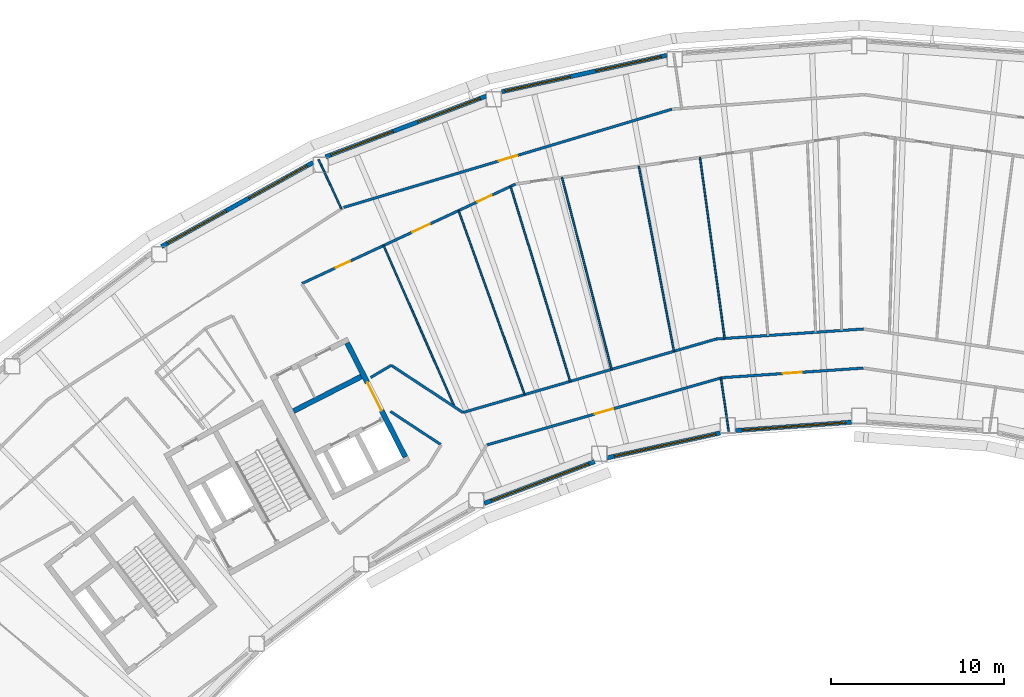
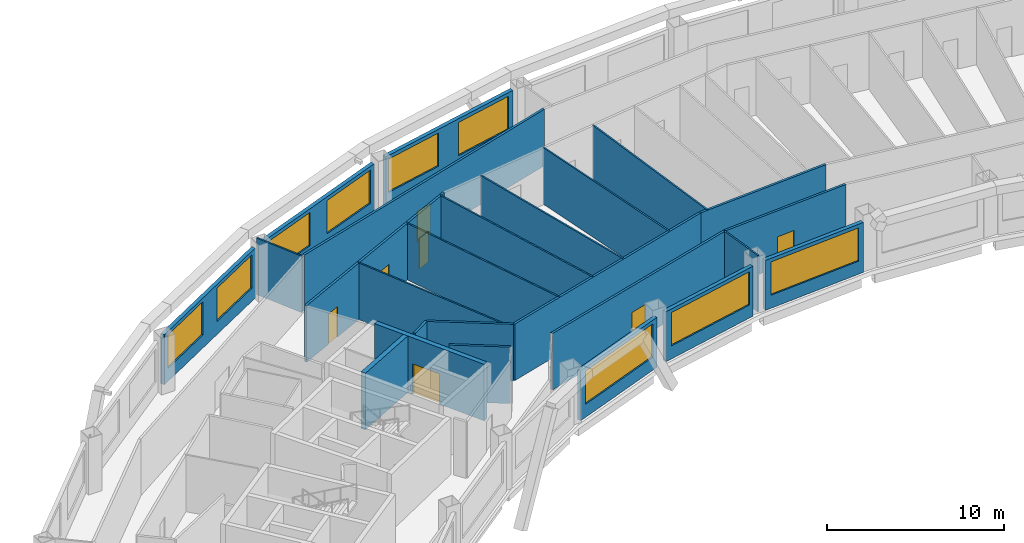
# One storey, part 7 of 17: 25 walls, 9 windows, 7 doors, 16 openings.
"""IFC4 building model written with IfcOpenShell, lengths in metres."""

from ifc_helpers import new_model, si_unit, direction, frame, frame_2d, origin, place, context, subcontext, project, spatial, rectangle, extrude, material, layer, layer_set, type_object, element, fill, save


model = new_model("IFC4")

# Units and contexts
model_context = context("Model", 3, precision=1e-05, world=origin(), true_north=direction((0.0, 1.0)))
body_context = subcontext(model_context, "Body", "Model", "MODEL_VIEW")
ifc_project = project(units=[si_unit("LENGTHUNIT", "METRE"), si_unit("AREAUNIT", "SQUARE_METRE"), si_unit("VOLUMEUNIT", "CUBIC_METRE"), si_unit("PLANEANGLEUNIT", "RADIAN"), si_unit("MASSUNIT", "GRAM", prefix="KILO")], contexts=[model_context])

# Site, building, storey
site_placement = place(None, origin())
site = spatial("IfcSite", under=ifc_project, at=site_placement, CompositionType="ELEMENT")
building_placement = place(site_placement, origin())
building = spatial("IfcBuilding", under=site, at=building_placement, Name="Tuul Gate Civic Tower", CompositionType="ELEMENT")
storey_placement = place(building_placement, frame((0.0, 0.0, 222.10009765625)))
storey = spatial("IfcBuildingStorey", under=building, at=storey_placement, Name="Level 50", CompositionType="ELEMENT", Elevation=222.10009765625)

# Wall, opening, door
ifc_material_1 = material(Name="Gypsum board partition")
ifc_layer_1 = layer(ifc_material_1, 0.14990234375)
ifc_layer_set_1 = layer_set([ifc_layer_1], Name="Gypsum board partition")
wall_type_1 = type_object("IfcWallType", Name="Corridor wall P150", PredefinedType="PARTITIONING", material=ifc_layer_set_1)
wall_1_placement = place(storey_placement, frame((-23.810302734375, 9.249267578125, 0.0), z_axis=(0.0, 0.0, 1.0), x_axis=(0.958034617298, 0.286652528436, 0.0)))
wall_1 = element("IfcWall", 1, at=wall_1_placement, inside=storey, type_object=wall_type_1, Name="p013", PredefinedType="PARTITIONING", context=body_context, shape_type="SweptSolid", body=[
    extrude(rectangle(XDim=19.77978515625, YDim=0.14990234375, at=frame_2d((9.889892578125, 0.0))), origin(), (0.0, 0.0, 1.0), 3.89990234375),
])
opening_1_placement = place(wall_1_placement, frame((9.33984375, 0.0, 0.0)))
opening_1 = element("IfcOpeningElement", 2, at=opening_1_placement, cuts=wall_1, Name="Opening R-D04", PredefinedType="OPENING", context=body_context, shape_type="SweptSolid", body=[
    extrude(rectangle(XDim=1.10009765625, YDim=2.10009765625, at=frame_2d((0.550048828125, 1.050048828125))), frame((0.0, 0.0849609375, 0.0), z_axis=(0.0, -1.0, 0.0), x_axis=(1.0, 0.0, 0.0)), (0.0, 0.0, 1.0), 0.169921875),
])
ifc_material_2 = material(Name="Timber door leaf", Category="wood")
door_type_1 = type_object("IfcDoorType", Name="Door D11", OperationType="NOTDEFINED", PredefinedType="DOOR", material=ifc_material_2)
door_1_placement = place(opening_1_placement, origin())
door_1 = element("IfcDoor", 3, at=door_1_placement, inside=storey, type_object=door_type_1, Name="Door R-D04", OperationType="SINGLE_SWING_RIGHT", OverallHeight=2.10009765625, OverallWidth=1.10009765625, PredefinedType="DOOR", context=body_context, shape_type="SweptSolid", body=[
    extrude(rectangle(XDim=1.10009765625, YDim=2.10009765625, at=frame_2d((0.550048828125, 1.050048828125))), frame((0.0, 0.02490234375, 0.0), z_axis=(0.0, -1.0, 0.0), x_axis=(1.0, 0.0, 0.0)), (0.0, 0.0, 1.0), 0.050048828125),
])
fill(opening_1, door_1)

wall_2_placement = place(storey_placement, frame((-15.534912109375, -4.460205078125, 0.0), z_axis=(0.0, 0.0, 1.0), x_axis=(0.961375307867, 0.275240835311, 0.0)))
wall_2 = element("IfcWall", 4, at=wall_2_placement, inside=storey, type_object=wall_type_1, Name="p037", PredefinedType="PARTITIONING", context=body_context, shape_type="SweptSolid", body=[
    extrude(rectangle(XDim=14.0830078125, YDim=0.14990234375, at=frame_2d((7.04150390625, 0.0))), origin(), (0.0, 0.0, 1.0), 3.89990234375),
])
opening_2_placement = place(wall_2_placement, frame((6.47265625, 0.0, 0.0)))
opening_2 = element("IfcOpeningElement", 5, at=opening_2_placement, cuts=wall_2, Name="Opening R-D10", PredefinedType="OPENING", context=body_context, shape_type="SweptSolid", body=[
    extrude(rectangle(XDim=1.10009765625, YDim=2.10009765625, at=frame_2d((0.550048828125, 1.050048828125))), frame((0.0, 0.0849609375, 0.0), z_axis=(0.0, -1.0, 0.0), x_axis=(1.0, 0.0, 0.0)), (0.0, 0.0, 1.0), 0.169921875),
])
door_2_placement = place(opening_2_placement, frame((1.10009765625, 0.0, 0.0), z_axis=(0.0, 0.0, 1.0), x_axis=(-1.0, 0.0, 0.0)))
door_2 = element("IfcDoor", 6, at=door_2_placement, inside=storey, type_object=door_type_1, Name="Door R-D10", OperationType="SINGLE_SWING_LEFT", OverallHeight=2.10009765625, OverallWidth=1.10009765625, PredefinedType="DOOR", context=body_context, shape_type="SweptSolid", body=[
    extrude(rectangle(XDim=1.10009765625, YDim=2.10009765625, at=frame_2d((0.550048828125, 1.050048828125))), frame((0.0, 0.02490234375, 0.0), z_axis=(0.0, -1.0, 0.0), x_axis=(1.0, 0.0, 0.0)), (0.0, 0.0, 1.0), 0.050048828125),
])
fill(opening_2, door_2)

wall_3_placement = place(storey_placement, frame((-1.990478515625, -0.5830078125, 0.0), z_axis=(0.0, 0.0, 1.0), x_axis=(0.997683646703, 0.068024562484, 0.0)))
wall_3 = element("IfcWall", 7, at=wall_3_placement, inside=storey, type_object=wall_type_1, Name="p038", PredefinedType="PARTITIONING", context=body_context, shape_type="SweptSolid", body=[
    extrude(rectangle(XDim=8.190185546875, YDim=0.14990234375, at=frame_2d((4.09521484375, 0.0))), origin(), (0.0, 0.0, 1.0), 3.89990234375),
])
opening_3_placement = place(wall_3_placement, frame((3.545166015625, 0.0, 0.0)))
opening_3 = element("IfcOpeningElement", 8, at=opening_3_placement, cuts=wall_3, Name="Opening R-D09", PredefinedType="OPENING", context=body_context, shape_type="SweptSolid", body=[
    extrude(rectangle(XDim=1.10009765625, YDim=2.10009765625, at=frame_2d((0.550048828125, 1.050048828125))), frame((0.0, 0.0849609375, 0.0), z_axis=(0.0, -1.0, 0.0), x_axis=(1.0, 0.0, 0.0)), (0.0, 0.0, 1.0), 0.169921875),
])
door_3_placement = place(opening_3_placement, frame((1.10009765625, 0.0, 0.0), z_axis=(0.0, 0.0, 1.0), x_axis=(-1.0, 0.0, 0.0)))
door_3 = element("IfcDoor", 9, at=door_3_placement, inside=storey, type_object=door_type_1, Name="Door R-D09", OperationType="SINGLE_SWING_LEFT", OverallHeight=2.10009765625, OverallWidth=1.10009765625, PredefinedType="DOOR", context=body_context, shape_type="SweptSolid", body=[
    extrude(rectangle(XDim=1.10009765625, YDim=2.10009765625, at=frame_2d((0.550048828125, 1.050048828125))), frame((0.0, 0.02490234375, 0.0), z_axis=(0.0, -1.0, 0.0), x_axis=(1.0, 0.0, 0.0)), (0.0, 0.0, 1.0), 0.050048828125),
])
fill(opening_3, door_3)

# Walls
wall_4_placement = place(storey_placement, frame((-2.315185546875, 1.650146484375, 0.0), z_axis=(0.0, 0.0, 1.0), x_axis=(0.997686740479, 0.067979172342, 0.0)))
element("IfcWall", 10, at=wall_4_placement, inside=storey, type_object=wall_type_1, Name="p074", PredefinedType="PARTITIONING", context=body_context, shape_type="SweptSolid", body=[
    extrude(rectangle(XDim=8.5224609375, YDim=0.14990234375, at=frame_2d((4.26123046875, 0.0))), origin(), (0.0, 0.0, 1.0), 3.89990234375),
])
wall_5_placement = place(storey_placement, frame((-16.918212890625, -2.5888671875, 0.0), z_axis=(0.0, 0.0, 1.0), x_axis=(0.960351912949, 0.278790608334, 0.0)))
element("IfcWall", 11, at=wall_5_placement, inside=storey, type_object=wall_type_1, Name="p079", PredefinedType="PARTITIONING", context=body_context, shape_type="SweptSolid", body=[
    extrude(rectangle(XDim=15.2041015625, YDim=0.14990234375, at=frame_2d((7.60205078125, 0.0))), origin(), (0.0, 0.0, 1.0), 3.89990234375),
])

# Wall, openings, doors
wall_6_placement = place(storey_placement, frame((-26.212646484375, 4.8583984375, 0.0), z_axis=(0.0, 0.0, 1.0), x_axis=(0.906577439331, 0.422039508218, 0.0)))
wall_6 = element("IfcWall", 12, at=wall_6_placement, inside=storey, type_object=wall_type_1, Name="p083", PredefinedType="PARTITIONING", context=body_context, shape_type="SweptSolid", body=[
    extrude(rectangle(XDim=13.590087890625, YDim=0.14990234375, at=frame_2d((6.794921875, 0.0))), origin(), (0.0, 0.0, 1.0), 3.89990234375),
])
opening_4_placement = place(wall_6_placement, frame((11.169921875, 0.0, 0.0)))
opening_4 = element("IfcOpeningElement", 13, at=opening_4_placement, cuts=wall_6, Name="Opening R-D31", PredefinedType="OPENING", context=body_context, shape_type="SweptSolid", body=[
    extrude(rectangle(XDim=0.89990234375, YDim=2.10009765625, at=frame_2d((0.449951171875, 1.050048828125))), frame((0.0, 0.0849609375, 0.0), z_axis=(0.0, -1.0, 0.0), x_axis=(1.0, 0.0, 0.0)), (0.0, 0.0, 1.0), 0.169921875),
])
opening_5_placement = place(wall_6_placement, frame((7.025390625, 0.0, 0.0)))
opening_5 = element("IfcOpeningElement", 14, at=opening_5_placement, cuts=wall_6, Name="Opening R-D32", PredefinedType="OPENING", context=body_context, shape_type="SweptSolid", body=[
    extrude(rectangle(XDim=1.10009765625, YDim=2.10009765625, at=frame_2d((0.550048828125, 1.050048828125))), frame((0.0, 0.0849609375, 0.0), z_axis=(0.0, -1.0, 0.0), x_axis=(1.0, 0.0, 0.0)), (0.0, 0.0, 1.0), 0.169921875),
])
opening_6_placement = place(wall_6_placement, frame((2.144287109375, 0.0, 0.0)))
opening_6 = element("IfcOpeningElement", 15, at=opening_6_placement, cuts=wall_6, Name="Opening R-D33", PredefinedType="OPENING", context=body_context, shape_type="SweptSolid", body=[
    extrude(rectangle(XDim=0.89990234375, YDim=2.10009765625, at=frame_2d((0.449951171875, 1.050048828125))), frame((0.0, 0.0849609375, 0.0), z_axis=(0.0, -1.0, 0.0), x_axis=(1.0, 0.0, 0.0)), (0.0, 0.0, 1.0), 0.169921875),
])
ifc_material_3 = material(Name="Timber door leaf", Category="wood")
door_type_2 = type_object("IfcDoorType", Name="Door D09", OperationType="NOTDEFINED", PredefinedType="DOOR", material=ifc_material_3)
door_4_placement = place(opening_4_placement, frame((0.89990234375, 0.0, 0.0), z_axis=(0.0, 0.0, 1.0), x_axis=(-1.0, 0.0, 0.0)))
door_4 = element("IfcDoor", 16, at=door_4_placement, inside=storey, type_object=door_type_2, Name="Door R-D31", OperationType="SINGLE_SWING_LEFT", OverallHeight=2.10009765625, OverallWidth=0.89990234375, PredefinedType="DOOR", context=body_context, shape_type="SweptSolid", body=[
    extrude(rectangle(XDim=0.89990234375, YDim=2.10009765625, at=frame_2d((0.449951171875, 1.050048828125))), frame((0.0, 0.02490234375, 0.0), z_axis=(0.0, -1.0, 0.0), x_axis=(1.0, 0.0, 0.0)), (0.0, 0.0, 1.0), 0.050048828125),
])
fill(opening_4, door_4)
door_5_placement = place(opening_6_placement, frame((0.89990234375, 0.0, 0.0), z_axis=(0.0, 0.0, 1.0), x_axis=(-1.0, 0.0, 0.0)))
door_5 = element("IfcDoor", 17, at=door_5_placement, inside=storey, type_object=door_type_2, Name="Door R-D33", OperationType="SINGLE_SWING_LEFT", OverallHeight=2.10009765625, OverallWidth=0.89990234375, PredefinedType="DOOR", context=body_context, shape_type="SweptSolid", body=[
    extrude(rectangle(XDim=0.89990234375, YDim=2.10009765625, at=frame_2d((0.449951171875, 1.050048828125))), frame((0.0, 0.02490234375, 0.0), z_axis=(0.0, -1.0, 0.0), x_axis=(1.0, 0.0, 0.0)), (0.0, 0.0, 1.0), 0.050048828125),
])
fill(opening_6, door_5)
door_6_placement = place(opening_5_placement, frame((1.10009765625, 0.0, 0.0), z_axis=(0.0, 0.0, 1.0), x_axis=(-1.0, 0.0, 0.0)))
door_6 = element("IfcDoor", 18, at=door_6_placement, inside=storey, type_object=door_type_1, Name="Door R-D32", OperationType="SINGLE_SWING_LEFT", OverallHeight=2.10009765625, OverallWidth=1.10009765625, PredefinedType="DOOR", context=body_context, shape_type="SweptSolid", body=[
    extrude(rectangle(XDim=1.10009765625, YDim=2.10009765625, at=frame_2d((0.550048828125, 1.050048828125))), frame((0.0, 0.02490234375, 0.0), z_axis=(0.0, -1.0, 0.0), x_axis=(1.0, 0.0, 0.0)), (0.0, 0.0, 1.0), 0.050048828125),
])
fill(opening_5, door_6)

# Walls
wall_7_placement = place(storey_placement, frame((-21.06689453125, 0.133544921875, 0.0), z_axis=(0.0, 0.0, 1.0), x_axis=(0.8355255713, -0.549451562655, 0.0)))
element("IfcWall", 19, at=wall_7_placement, inside=storey, type_object=wall_type_1, Name="p086", PredefinedType="PARTITIONING", context=body_context, shape_type="SweptSolid", body=[
    extrude(rectangle(XDim=4.947998046875, YDim=0.14990234375, at=frame_2d((2.47412109375, 0.0))), origin(), (0.0, 0.0, 1.0), 3.89990234375),
])
wall_8_placement = place(storey_placement, frame((-22.254150390625, -0.57275390625, 0.0), z_axis=(0.0, 0.0, 1.0), x_axis=(0.859111470211, 0.511788512719, 0.0)))
element("IfcWall", 20, at=wall_8_placement, inside=storey, type_object=wall_type_1, Name="p088", PredefinedType="PARTITIONING", context=body_context, shape_type="SweptSolid", body=[
    extrude(rectangle(XDim=1.380615234375, YDim=0.14990234375, at=frame_2d((0.6904296875, 0.0))), origin(), (0.0, 0.0, 1.0), 3.89990234375),
])
wall_9_placement = place(storey_placement, frame((-21.115478515625, -2.527099609375, 0.0), z_axis=(0.0, 0.0, 1.0), x_axis=(0.835481377366, -0.54951876044, 0.0)))
element("IfcWall", 21, at=wall_9_placement, inside=storey, type_object=wall_type_1, Name="p093", PredefinedType="PARTITIONING", context=body_context, shape_type="SweptSolid", body=[
    extrude(rectangle(XDim=3.48681640625, YDim=0.14990234375, at=frame_2d((1.743408203125, 0.0))), origin(), (0.0, 0.0, 1.0), 3.89990234375),
])

# Wall, openings, windows
ifc_material_4 = material(Name="Precast concrete C40/50", Category="concrete")
ifc_layer_2 = layer(ifc_material_4, 0.25)
ifc_layer_set_2 = layer_set([ifc_layer_2], Name="Precast concrete C40/50")
wall_type_2 = type_object("IfcWallType", Name="External wall", PredefinedType="STANDARD", material=ifc_layer_set_2)
wall_10_placement = place(storey_placement, frame((-5.159912109375, 18.027099609375, 0.0), z_axis=(0.0, 0.0, 1.0), x_axis=(-0.976565945411, -0.215218387375, 0.0)))
wall_10 = element("IfcWall", 22, at=wall_10_placement, inside=storey, type_object=wall_type_2, Name="External wall", PredefinedType="STANDARD", context=body_context, shape_type="SweptSolid", body=[
    extrude(rectangle(XDim=9.755615234375, YDim=0.25, at=frame_2d((4.8779296875, 0.0))), origin(), (0.0, 0.0, 1.0), 3.449951171875),
])
opening_7_placement = place(wall_10_placement, frame((0.3388671875, 0.0, 0.89990234375)))
opening_7 = element("IfcOpeningElement", 23, at=opening_7_placement, cuts=wall_10, Name="Opening W22", PredefinedType="OPENING", context=body_context, shape_type="SweptSolid", body=[
    extrude(rectangle(XDim=3.85009765625, YDim=2.300048828125, at=frame_2d((1.925048828125, 1.14990234375))), frame((0.0, 0.135009765625, 0.0), z_axis=(0.0, -1.0, 0.0), x_axis=(1.0, 0.0, 0.0)), (0.0, 0.0, 1.0), 0.27001953125),
])
opening_8_placement = place(wall_10_placement, frame((5.710205078125, 0.0, 0.89990234375)))
opening_8 = element("IfcOpeningElement", 24, at=opening_8_placement, cuts=wall_10, Name="Opening W22", PredefinedType="OPENING", context=body_context, shape_type="SweptSolid", body=[
    extrude(rectangle(XDim=3.85009765625, YDim=2.300048828125, at=frame_2d((1.925048828125, 1.14990234375))), frame((0.0, 0.135009765625, 0.0), z_axis=(0.0, -1.0, 0.0), x_axis=(1.0, 0.0, 0.0)), (0.0, 0.0, 1.0), 0.27001953125),
])
ifc_material_5 = material(Name="Glass", Category="glass")
window_type_1 = type_object("IfcWindowType", Name="Window W22 3850 x 2300", PartitioningType="SINGLE_PANEL", PredefinedType="WINDOW", material=ifc_material_5)
window_1_placement = place(opening_7_placement, origin())
window_1 = element("IfcWindow", 25, at=window_1_placement, inside=storey, type_object=window_type_1, Name="Window", OverallHeight=2.300048828125, OverallWidth=3.85009765625, PartitioningType="SINGLE_PANEL", PredefinedType="WINDOW", context=body_context, shape_type="SweptSolid", body=[
    extrude(rectangle(XDim=3.85009765625, YDim=2.300048828125, at=frame_2d((1.925048828125, 1.14990234375))), frame((0.0, 0.030029296875, 0.0), z_axis=(0.0, -1.0, 0.0), x_axis=(1.0, 0.0, 0.0)), (0.0, 0.0, 1.0), 0.06005859375),
])
fill(opening_7, window_1)
window_2_placement = place(opening_8_placement, origin())
window_2 = element("IfcWindow", 26, at=window_2_placement, inside=storey, type_object=window_type_1, Name="Window", OverallHeight=2.300048828125, OverallWidth=3.85009765625, PartitioningType="SINGLE_PANEL", PredefinedType="WINDOW", context=body_context, shape_type="SweptSolid", body=[
    extrude(rectangle(XDim=3.85009765625, YDim=2.300048828125, at=frame_2d((1.925048828125, 1.14990234375))), frame((0.0, 0.030029296875, 0.0), z_axis=(0.0, -1.0, 0.0), x_axis=(1.0, 0.0, 0.0)), (0.0, 0.0, 1.0), 0.06005859375),
])
fill(opening_8, window_2)

wall_11_placement = place(storey_placement, frame((-15.5869140625, 15.673095703125, 0.0), z_axis=(0.0, 0.0, 1.0), x_axis=(-0.935372856453, -0.353663143981, 0.0)))
wall_11 = element("IfcWall", 27, at=wall_11_placement, inside=storey, type_object=wall_type_2, Name="External wall", PredefinedType="STANDARD", context=body_context, shape_type="SweptSolid", body=[
    extrude(rectangle(XDim=9.908203125, YDim=0.25, at=frame_2d((4.9541015625, 0.0))), origin(), (0.0, 0.0, 1.0), 3.449951171875),
])
opening_9_placement = place(wall_11_placement, frame((0.3701171875, 0.0, 0.89990234375)))
opening_9 = element("IfcOpeningElement", 28, at=opening_9_placement, cuts=wall_11, Name="Opening W22", PredefinedType="OPENING", context=body_context, shape_type="SweptSolid", body=[
    extrude(rectangle(XDim=3.85009765625, YDim=2.300048828125, at=frame_2d((1.925048828125, 1.14990234375))), frame((0.0, 0.135009765625, 0.0), z_axis=(0.0, -1.0, 0.0), x_axis=(1.0, 0.0, 0.0)), (0.0, 0.0, 1.0), 0.27001953125),
])
opening_10_placement = place(wall_11_placement, frame((5.7412109375, 0.0, 0.89990234375)))
opening_10 = element("IfcOpeningElement", 29, at=opening_10_placement, cuts=wall_11, Name="Opening W22", PredefinedType="OPENING", context=body_context, shape_type="SweptSolid", body=[
    extrude(rectangle(XDim=3.85009765625, YDim=2.300048828125, at=frame_2d((1.925048828125, 1.14990234375))), frame((0.0, 0.135009765625, 0.0), z_axis=(0.0, -1.0, 0.0), x_axis=(1.0, 0.0, 0.0)), (0.0, 0.0, 1.0), 0.27001953125),
])
window_3_placement = place(opening_9_placement, origin())
window_3 = element("IfcWindow", 30, at=window_3_placement, inside=storey, type_object=window_type_1, Name="Window", OverallHeight=2.300048828125, OverallWidth=3.85009765625, PartitioningType="SINGLE_PANEL", PredefinedType="WINDOW", context=body_context, shape_type="SweptSolid", body=[
    extrude(rectangle(XDim=3.85009765625, YDim=2.300048828125, at=frame_2d((1.925048828125, 1.14990234375))), frame((0.0, 0.030029296875, 0.0), z_axis=(0.0, -1.0, 0.0), x_axis=(1.0, 0.0, 0.0)), (0.0, 0.0, 1.0), 0.06005859375),
])
fill(opening_9, window_3)
window_4_placement = place(opening_10_placement, origin())
window_4 = element("IfcWindow", 31, at=window_4_placement, inside=storey, type_object=window_type_1, Name="Window", OverallHeight=2.300048828125, OverallWidth=3.85009765625, PartitioningType="SINGLE_PANEL", PredefinedType="WINDOW", context=body_context, shape_type="SweptSolid", body=[
    extrude(rectangle(XDim=3.85009765625, YDim=2.300048828125, at=frame_2d((1.925048828125, 1.14990234375))), frame((0.0, 0.030029296875, 0.0), z_axis=(0.0, -1.0, 0.0), x_axis=(1.0, 0.0, 0.0)), (0.0, 0.0, 1.0), 0.06005859375),
])
fill(opening_10, window_4)

wall_12_placement = place(storey_placement, frame((-25.573974609375, 11.842041015625, 0.0), z_axis=(0.0, 0.0, 1.0), x_axis=(-0.87460251425, -0.484840635743, 0.0)))
wall_12 = element("IfcWall", 32, at=wall_12_placement, inside=storey, type_object=wall_type_2, Name="External wall", PredefinedType="STANDARD", context=body_context, shape_type="SweptSolid", body=[
    extrude(rectangle(XDim=10.00146484375, YDim=0.25, at=frame_2d((5.000732421875, 0.0))), origin(), (0.0, 0.0, 1.0), 3.449951171875),
])
opening_11_placement = place(wall_12_placement, frame((0.393798828125, 0.0, 0.89990234375)))
opening_11 = element("IfcOpeningElement", 33, at=opening_11_placement, cuts=wall_12, Name="Opening W22", PredefinedType="OPENING", context=body_context, shape_type="SweptSolid", body=[
    extrude(rectangle(XDim=3.85009765625, YDim=2.300048828125, at=frame_2d((1.925048828125, 1.14990234375))), frame((0.0, 0.135009765625, 0.0), z_axis=(0.0, -1.0, 0.0), x_axis=(1.0, 0.0, 0.0)), (0.0, 0.0, 1.0), 0.27001953125),
])
opening_12_placement = place(wall_12_placement, frame((5.764892578125, 0.0, 0.89990234375)))
opening_12 = element("IfcOpeningElement", 34, at=opening_12_placement, cuts=wall_12, Name="Opening W22", PredefinedType="OPENING", context=body_context, shape_type="SweptSolid", body=[
    extrude(rectangle(XDim=3.85009765625, YDim=2.300048828125, at=frame_2d((1.925048828125, 1.14990234375))), frame((0.0, 0.135009765625, 0.0), z_axis=(0.0, -1.0, 0.0), x_axis=(1.0, 0.0, 0.0)), (0.0, 0.0, 1.0), 0.27001953125),
])
window_5_placement = place(opening_11_placement, origin())
window_5 = element("IfcWindow", 35, at=window_5_placement, inside=storey, type_object=window_type_1, Name="Window", OverallHeight=2.300048828125, OverallWidth=3.85009765625, PartitioningType="SINGLE_PANEL", PredefinedType="WINDOW", context=body_context, shape_type="SweptSolid", body=[
    extrude(rectangle(XDim=3.85009765625, YDim=2.300048828125, at=frame_2d((1.925048828125, 1.14990234375))), frame((0.0, 0.030029296875, 0.0), z_axis=(0.0, -1.0, 0.0), x_axis=(1.0, 0.0, 0.0)), (0.0, 0.0, 1.0), 0.06005859375),
])
fill(opening_11, window_5)
window_6_placement = place(opening_12_placement, origin())
window_6 = element("IfcWindow", 36, at=window_6_placement, inside=storey, type_object=window_type_1, Name="Window", OverallHeight=2.300048828125, OverallWidth=3.85009765625, PartitioningType="SINGLE_PANEL", PredefinedType="WINDOW", context=body_context, shape_type="SweptSolid", body=[
    extrude(rectangle(XDim=3.85009765625, YDim=2.300048828125, at=frame_2d((1.925048828125, 1.14990234375))), frame((0.0, 0.030029296875, 0.0), z_axis=(0.0, -1.0, 0.0), x_axis=(1.0, 0.0, 0.0)), (0.0, 0.0, 1.0), 0.06005859375),
])
fill(opening_12, window_6)

# Wall, opening, window
wall_13_placement = place(storey_placement, frame((-15.697021484375, -7.8349609375, 0.0), z_axis=(0.0, 0.0, 1.0), x_axis=(0.935372377576, 0.35366441052, 0.0)))
wall_13 = element("IfcWall", 37, at=wall_13_placement, inside=storey, type_object=wall_type_2, Name="External wall", PredefinedType="STANDARD", context=body_context, shape_type="SweptSolid", body=[
    extrude(rectangle(XDim=6.819580078125, YDim=0.25, at=frame_2d((3.40966796875, 0.0))), origin(), (0.0, 0.0, 1.0), 3.449951171875),
])
opening_13_placement = place(wall_13_placement, frame((0.43798828125, 0.0, 0.89990234375)))
opening_13 = element("IfcOpeningElement", 38, at=opening_13_placement, cuts=wall_13, Name="Opening W26", PredefinedType="OPENING", context=body_context, shape_type="SweptSolid", body=[
    extrude(rectangle(XDim=6.0, YDim=2.300048828125, at=frame_2d((3.0, 1.14990234375))), frame((0.0, 0.135009765625, 0.0), z_axis=(0.0, -1.0, 0.0), x_axis=(1.0, 0.0, 0.0)), (0.0, 0.0, 1.0), 0.27001953125),
])
ifc_material_6 = material(Name="Glass", Category="glass")
window_type_2 = type_object("IfcWindowType", Name="Window W26 6000 x 2300", PartitioningType="SINGLE_PANEL", PredefinedType="WINDOW", material=ifc_material_6)
window_7_placement = place(opening_13_placement, origin())
window_7 = element("IfcWindow", 39, at=window_7_placement, inside=storey, type_object=window_type_2, Name="Window", OverallHeight=2.300048828125, OverallWidth=6.0, PartitioningType="SINGLE_PANEL", PredefinedType="WINDOW", context=body_context, shape_type="SweptSolid", body=[
    extrude(rectangle(XDim=6.0, YDim=2.300048828125, at=frame_2d((3.0, 1.14990234375))), frame((0.0, 0.030029296875, 0.0), z_axis=(0.0, -1.0, 0.0), x_axis=(1.0, 0.0, 0.0)), (0.0, 0.0, 1.0), 0.06005859375),
])
fill(opening_13, window_7)

wall_14_placement = place(storey_placement, frame((-8.595947265625, -5.206298828125, 0.0), z_axis=(0.0, 0.0, 1.0), x_axis=(0.976558520258, 0.21525207667, 0.0)))
wall_14 = element("IfcWall", 40, at=wall_14_placement, inside=storey, type_object=wall_type_2, Name="External wall", PredefinedType="STANDARD", context=body_context, shape_type="SweptSolid", body=[
    extrude(rectangle(XDim=6.670166015625, YDim=0.25, at=frame_2d((3.3349609375, 0.0))), origin(), (0.0, 0.0, 1.0), 3.449951171875),
])
opening_14_placement = place(wall_14_placement, frame((0.406982421875, 0.0, 0.89990234375)))
opening_14 = element("IfcOpeningElement", 41, at=opening_14_placement, cuts=wall_14, Name="Opening W26", PredefinedType="OPENING", context=body_context, shape_type="SweptSolid", body=[
    extrude(rectangle(XDim=6.0, YDim=2.300048828125, at=frame_2d((3.0, 1.14990234375))), frame((0.0, 0.135009765625, 0.0), z_axis=(0.0, -1.0, 0.0), x_axis=(1.0, 0.0, 0.0)), (0.0, 0.0, 1.0), 0.27001953125),
])
window_8_placement = place(opening_14_placement, origin())
window_8 = element("IfcWindow", 42, at=window_8_placement, inside=storey, type_object=window_type_2, Name="Window", OverallHeight=2.300048828125, OverallWidth=6.0, PartitioningType="SINGLE_PANEL", PredefinedType="WINDOW", context=body_context, shape_type="SweptSolid", body=[
    extrude(rectangle(XDim=6.0, YDim=2.300048828125, at=frame_2d((3.0, 1.14990234375))), frame((0.0, 0.030029296875, 0.0), z_axis=(0.0, -1.0, 0.0), x_axis=(1.0, 0.0, 0.0)), (0.0, 0.0, 1.0), 0.06005859375),
])
fill(opening_14, window_8)

wall_15_placement = place(storey_placement, frame((-1.181884765625, -3.6318359375, 0.0), z_axis=(0.0, 0.0, 1.0), x_axis=(0.997393444125, 0.072154817002, 0.0)))
wall_15 = element("IfcWall", 43, at=wall_15_placement, inside=storey, type_object=wall_type_2, Name="External wall", PredefinedType="STANDARD", context=body_context, shape_type="SweptSolid", body=[
    extrude(rectangle(XDim=6.689208984375, YDim=0.25, at=frame_2d((3.3447265625, 0.0))), origin(), (0.0, 0.0, 1.0), 3.449951171875),
])
opening_15_placement = place(wall_15_placement, frame((0.3681640625, 0.0, 0.89990234375)))
opening_15 = element("IfcOpeningElement", 44, at=opening_15_placement, cuts=wall_15, Name="Opening W26", PredefinedType="OPENING", context=body_context, shape_type="SweptSolid", body=[
    extrude(rectangle(XDim=6.0, YDim=2.300048828125, at=frame_2d((3.0, 1.14990234375))), frame((0.0, 0.135009765625, 0.0), z_axis=(0.0, -1.0, 0.0), x_axis=(1.0, 0.0, 0.0)), (0.0, 0.0, 1.0), 0.27001953125),
])
window_9_placement = place(opening_15_placement, origin())
window_9 = element("IfcWindow", 45, at=window_9_placement, inside=storey, type_object=window_type_2, Name="Window", OverallHeight=2.300048828125, OverallWidth=6.0, PartitioningType="SINGLE_PANEL", PredefinedType="WINDOW", context=body_context, shape_type="SweptSolid", body=[
    extrude(rectangle(XDim=6.0, YDim=2.300048828125, at=frame_2d((3.0, 1.14990234375))), frame((0.0, 0.030029296875, 0.0), z_axis=(0.0, -1.0, 0.0), x_axis=(1.0, 0.0, 0.0)), (0.0, 0.0, 1.0), 0.06005859375),
])
fill(opening_15, window_9)

# Wall
ifc_material_7 = material(Name="Concrete C40/50", Category="concrete")
ifc_layer_3 = layer(ifc_material_7, 0.300048828125)
ifc_layer_set_3 = layer_set([ifc_layer_3], Name="Concrete C40/50")
wall_type_3 = type_object("IfcWallType", Name="Lift shaft wall C40/50", PredefinedType="STANDARD", material=ifc_layer_set_3)
wall_16_placement = place(storey_placement, frame((-22.790771484375, -0.5126953125, 0.0), z_axis=(0.0, 0.0, 1.0), x_axis=(-0.891005618941, -0.453992276384, 0.0)))
element("IfcWall", 46, at=wall_16_placement, inside=storey, type_object=wall_type_3, Name="Shaft wall", PredefinedType="STANDARD", context=body_context, shape_type="SweptSolid", body=[
    extrude(rectangle(XDim=4.39990234375, YDim=0.300048828125, at=frame_2d((2.199951171875, 0.0))), origin(), (0.0, 0.0, 1.0), 3.89990234375),
])

# Wall, opening, door
wall_17_placement = place(storey_placement, frame((-20.2509765625, -5.166748046875, 0.0), z_axis=(0.0, 0.0, 1.0), x_axis=(-0.45401029361, 0.89099643843, 0.0)))
wall_17 = element("IfcWall", 47, at=wall_17_placement, inside=storey, type_object=wall_type_3, Name="Shaft wall", PredefinedType="STANDARD", context=body_context, shape_type="SweptSolid", body=[
    extrude(rectangle(XDim=7.39990234375, YDim=0.300048828125, at=frame_2d((3.699951171875, 0.0))), origin(), (0.0, 0.0, 1.0), 3.89990234375),
])
opening_16_placement = place(wall_17_placement, frame((3.02490234375, 0.0, 0.0)))
opening_16 = element("IfcOpeningElement", 48, at=opening_16_placement, cuts=wall_17, Name="Opening LB-W3-LOBBY-1", PredefinedType="OPENING", context=body_context, shape_type="SweptSolid", body=[
    extrude(rectangle(XDim=1.800048828125, YDim=2.10009765625, at=frame_2d((0.89990234375, 1.050048828125))), frame((0.0, 0.16015625, 0.0), z_axis=(0.0, -1.0, 0.0), x_axis=(1.0, 0.0, 0.0)), (0.0, 0.0, 1.0), 0.320068359375),
])
ifc_material_8 = material(Name="Steel", Category="steel")
door_type_3 = type_object("IfcDoorType", Name="Lobby door", OperationType="DOUBLE_DOOR_SINGLE_SWING", PredefinedType="DOOR", material=ifc_material_8)
door_7_placement = place(opening_16_placement, origin())
door_7 = element("IfcDoor", 49, at=door_7_placement, inside=storey, type_object=door_type_3, Name="Lobby door W3-LOBBY", OperationType="DOUBLE_DOOR_SINGLE_SWING", OverallHeight=2.10009765625, OverallWidth=1.800048828125, PredefinedType="DOOR", context=body_context, shape_type="SweptSolid", body=[
    extrude(rectangle(XDim=1.800048828125, YDim=2.10009765625, at=frame_2d((0.89990234375, 1.050048828125))), frame((0.0, 0.02490234375, 0.0), z_axis=(0.0, -1.0, 0.0), x_axis=(1.0, 0.0, 0.0)), (0.0, 0.0, 1.0), 0.050048828125),
])
fill(opening_16, door_7)

# Walls
ifc_material_9 = material(Name="Gypsum board partition")
ifc_layer_4 = layer(ifc_material_9, 0.10009765625)
ifc_layer_set_4 = layer_set([ifc_layer_4], Name="Gypsum board partition")
wall_type_4 = type_object("IfcWallType", Name="Partition P100", PredefinedType="PARTITIONING", material=ifc_layer_set_4)
wall_18_placement = place(storey_placement, frame((-2.031982421875, -0.59423828125, 0.0), z_axis=(0.0, 0.0, 1.0), x_axis=(0.144085481541, -0.989565244948, 0.0)))
element("IfcWall", 50, at=wall_18_placement, inside=storey, type_object=wall_type_4, Name="p007", PredefinedType="PARTITIONING", context=body_context, shape_type="SweptSolid", body=[
    extrude(rectangle(XDim=3.104248046875, YDim=0.10009765625, at=frame_2d((1.55224609375, 0.0))), origin(), (0.0, 0.0, 1.0), 3.89990234375),
])
wall_19_placement = place(storey_placement, frame((-25.26318359375, 12.02001953125, 0.0), z_axis=(0.0, 0.0, 1.0), x_axis=(0.420292759478, -0.907388558629, 0.0)))
element("IfcWall", 51, at=wall_19_placement, inside=storey, type_object=wall_type_4, Name="p012", PredefinedType="PARTITIONING", context=body_context, shape_type="SweptSolid", body=[
    extrude(rectangle(XDim=3.146728515625, YDim=0.10009765625, at=frame_2d((1.5732421875, 0.0))), origin(), (0.0, 0.0, 1.0), 3.89990234375),
])
wall_20_placement = place(storey_placement, frame((-3.2421875, 12.1337890625, 0.0), z_axis=(0.0, 0.0, 1.0), x_axis=(0.134845642687, -0.990866616982, 0.0)))
element("IfcWall", 52, at=wall_20_placement, inside=storey, type_object=wall_type_4, Name="p077", PredefinedType="PARTITIONING", context=body_context, shape_type="SweptSolid", body=[
    extrude(rectangle(XDim=10.54638671875, YDim=0.10009765625, at=frame_2d((5.273193359375, 0.0))), origin(), (0.0, 0.0, 1.0), 3.89990234375),
])
wall_21_placement = place(storey_placement, frame((-6.7724609375, 11.623779296875, 0.0), z_axis=(0.0, 0.0, 1.0), x_axis=(0.186517565251, -0.982451626215, 0.0)))
element("IfcWall", 53, at=wall_21_placement, inside=storey, type_object=wall_type_4, Name="p078", PredefinedType="PARTITIONING", context=body_context, shape_type="SweptSolid", body=[
    extrude(rectangle(XDim=10.869384765625, YDim=0.10009765625, at=frame_2d((5.4345703125, 0.0))), origin(), (0.0, 0.0, 1.0), 3.89990234375),
])
wall_22_placement = place(storey_placement, frame((-11.210693359375, 10.982421875, 0.0), z_axis=(0.0, 0.0, 1.0), x_axis=(0.250391438757, -0.968144683091, 0.0)))
element("IfcWall", 54, at=wall_22_placement, inside=storey, type_object=wall_type_4, Name="p080", PredefinedType="PARTITIONING", context=body_context, shape_type="SweptSolid", body=[
    extrude(rectangle(XDim=11.447021484375, YDim=0.10009765625, at=frame_2d((5.7236328125, 0.0))), origin(), (0.0, 0.0, 1.0), 3.89990234375),
])
wall_23_placement = place(storey_placement, frame((-14.17578125, 10.4619140625, 0.0), z_axis=(0.0, 0.0, 1.0), x_axis=(0.292369777264, -0.956305345244, 0.0)))
element("IfcWall", 55, at=wall_23_placement, inside=storey, type_object=wall_type_4, Name="p081", PredefinedType="PARTITIONING", context=body_context, shape_type="SweptSolid", body=[
    extrude(rectangle(XDim=11.769775390625, YDim=0.10009765625, at=frame_2d((5.884765625, 0.0))), origin(), (0.0, 0.0, 1.0), 3.89990234375),
])
wall_24_placement = place(storey_placement, frame((-17.180908203125, 9.06298828125, 0.0), z_axis=(0.0, 0.0, 1.0), x_axis=(0.337925686405, -0.941172795223, 0.0)))
element("IfcWall", 56, at=wall_24_placement, inside=storey, type_object=wall_type_4, Name="p084", PredefinedType="PARTITIONING", context=body_context, shape_type="SweptSolid", body=[
    extrude(rectangle(XDim=11.284912109375, YDim=0.10009765625, at=frame_2d((5.642578125, 0.0))), origin(), (0.0, 0.0, 1.0), 3.89990234375),
])
wall_25_placement = place(storey_placement, frame((-21.5087890625, 7.04833984375, 0.0), z_axis=(0.0, 0.0, 1.0), x_axis=(0.402754682229, -0.915307962351, 0.0)))
element("IfcWall", 57, at=wall_25_placement, inside=storey, type_object=wall_type_4, Name="p085", PredefinedType="PARTITIONING", context=body_context, shape_type="SweptSolid", body=[
    extrude(rectangle(XDim=10.183837890625, YDim=0.10009765625, at=frame_2d((5.091796875, 0.0))), origin(), (0.0, 0.0, 1.0), 3.89990234375),
])

save(model, "model.ifc")
